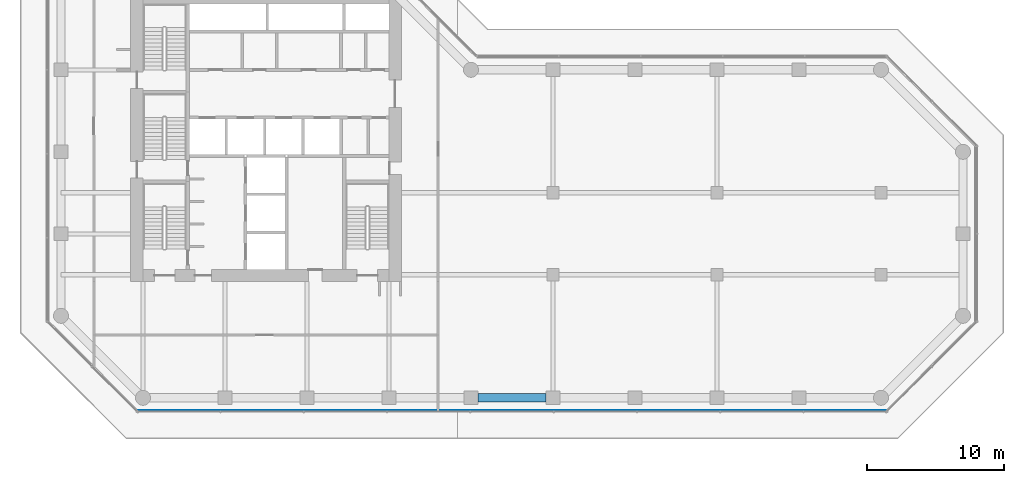
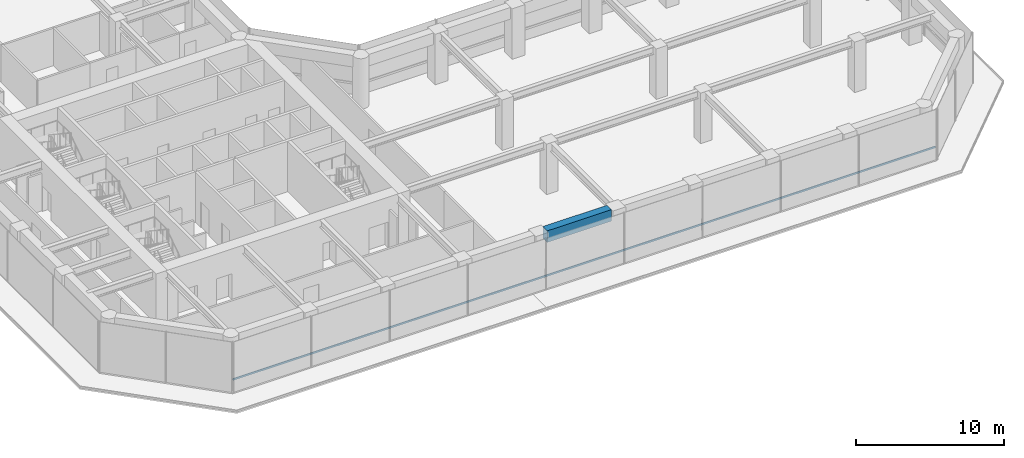
# One storey, part 6 of 24: 1 beam, 1 member, 1 element without a shape of its own.
"""IFC4 building model written with IfcOpenShell, lengths in metres."""

from ifc_helpers import new_model, si_unit, direction, frame, origin, origin_2d, place, context, subcontext, project, spatial, rectangle, extrude, material, layer, layer_set, material_profile, profile_set, type_object, element, aggregate, save


model = new_model("IFC4")

# Units and contexts
model_context = context("Model", 3, precision=1e-05, world=origin(), true_north=direction((0.0, 1.0)))
body_context = subcontext(model_context, "Body", "Model", "MODEL_VIEW")
ifc_project = project(units=[si_unit("LENGTHUNIT", "METRE"), si_unit("AREAUNIT", "SQUARE_METRE"), si_unit("VOLUMEUNIT", "CUBIC_METRE"), si_unit("PLANEANGLEUNIT", "RADIAN"), si_unit("MASSUNIT", "GRAM", prefix="KILO")], contexts=[model_context])

# Site, building, storey
site_placement = place(None, origin())
site = spatial("IfcSite", under=ifc_project, at=site_placement, CompositionType="ELEMENT")
building_placement = place(site_placement, origin())
building = spatial("IfcBuilding", under=site, at=building_placement, Name="Welwitschia Terrace Campus", CompositionType="ELEMENT")
storey_placement = place(building_placement, frame((0.0, 0.0, 15.5)))
storey = spatial("IfcBuildingStorey", under=building, at=storey_placement, Name="L03", CompositionType="ELEMENT", Elevation=15.5)

# Beam
ifc_material_1 = material(Name="Concrete C60/75", Category="concrete")
ifc_material_profile_1 = material_profile(ifc_material_1, rectangle(XDim=0.60009765625, YDim=0.949951171875, at=origin_2d()))
ifc_profile_set_1 = profile_set([ifc_material_profile_1], Name="Concrete C60/75")
beam_type = type_object("IfcBeamType", Name="Ring spandrel 600x950", PredefinedType="SPANDREL", material=ifc_profile_set_1)
beam_placement = place(storey_placement, frame((30.50048828125, -4.0, 3.675048828125), z_axis=(1.0, 0.0, 0.0), x_axis=(0.0, 1.0, 0.0)))
element("IfcBeam", 1, at=beam_placement, inside=storey, type_object=beam_type, Name="Spandrel SP1", PredefinedType="SPANDREL", context=body_context, shape_type="SweptSolid", body=[
    extrude(rectangle(XDim=0.60009765625, YDim=0.949951171875, at=origin_2d()), origin(), (0.0, 0.0, 1.0), 4.9990234375),
])

# Curtain wall, member
ifc_material_2 = material(Name="Bronze anodised aluminium", Category="aluminium")
ifc_layer = layer(ifc_material_2, 0.1201171875)
ifc_layer_set = layer_set([ifc_layer], Name="Bronze anodised aluminium")
curtain_wall_type = type_object("IfcCurtainWallType", Name="Curtain wall CW2 tower 6000", PredefinedType="NOTDEFINED", material=ifc_layer_set)
curtain_wall_placement = place(storey_placement, origin())
curtain_wall = element("IfcCurtainWall", 2, at=curtain_wall_placement, inside=storey, type_object=curtain_wall_type, Name="CW L03.1.0", PredefinedType="NOTDEFINED")
ifc_material_3 = material(Name="Bronze anodised aluminium", Category="aluminium")
ifc_material_profile_2 = material_profile(ifc_material_3, rectangle(XDim=0.06005859375, YDim=0.14990234375, at=origin_2d()))
ifc_profile_set_2 = profile_set([ifc_material_profile_2], Name="Bronze anodised aluminium")
member_type = type_object("IfcMemberType", Name="Transom 60x150", PredefinedType="USERDEFINED", material=ifc_profile_set_2)
member_placement = place(storey_placement, frame((5.637451171875, -4.929931640625, 1.0), z_axis=(1.0, 0.0, 0.0), x_axis=(0.0, 1.0, 0.0)))
member = element("IfcMember", 3, at=member_placement, type_object=member_type, Name="Transom L03.1.0", ObjectType="TRANSOM", PredefinedType="USERDEFINED", context=body_context, shape_type="SweptSolid", body=[
    extrude(rectangle(XDim=0.06005859375, YDim=0.14990234375, at=origin_2d()), origin(), (0.0, 0.0, 1.0), 54.72509765625),
])
aggregate(curtain_wall, [member])

save(model, "model.ifc")
